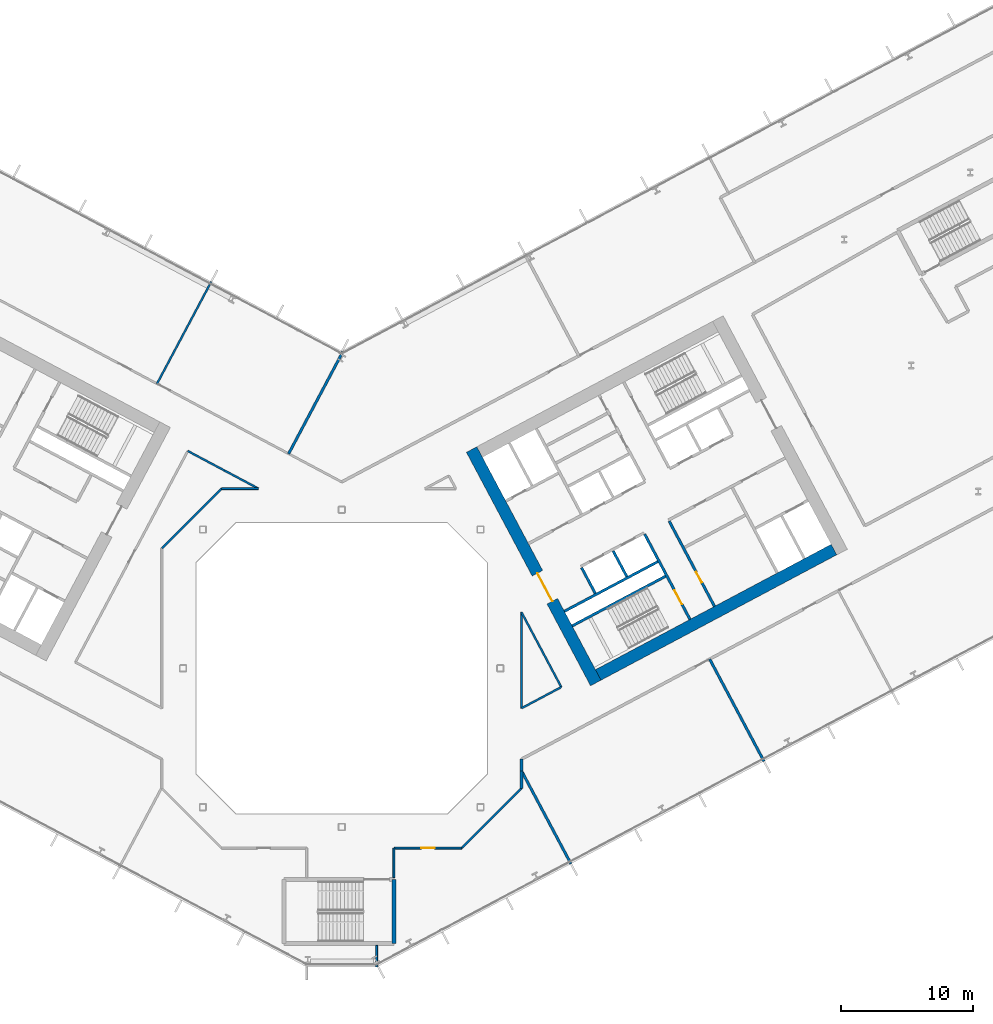
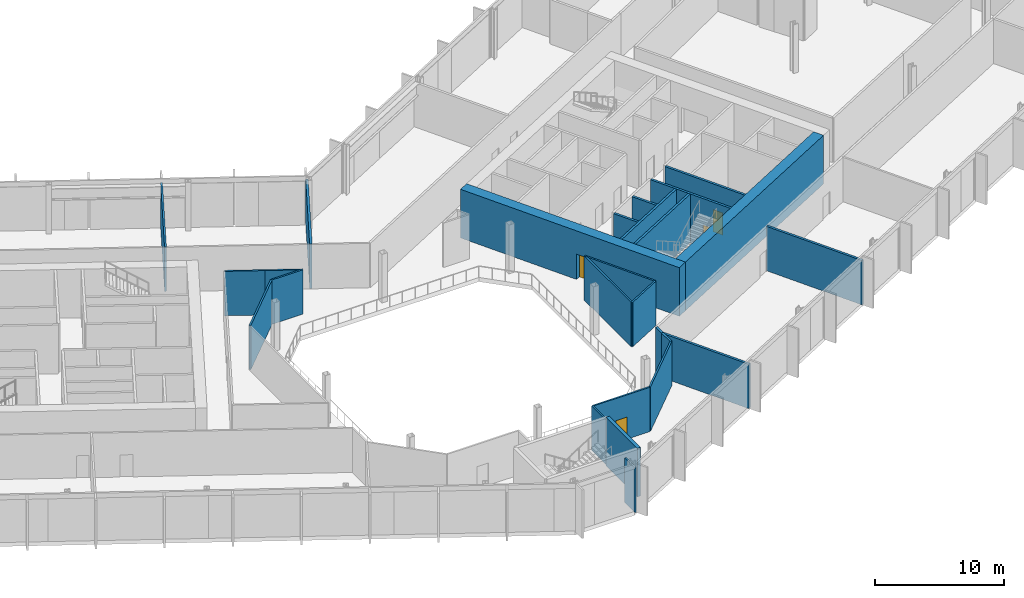
# One storey, part 16 of 30: 26 walls, 4 doors, 4 openings.
"""IFC4 building model written with IfcOpenShell, lengths in metres."""

from ifc_helpers import new_model, si_unit, direction, frame, frame_2d, origin, place, context, subcontext, project, spatial, rectangle, extrude, material, layer, layer_set, type_object, element, fill, save


model = new_model("IFC4")

# Units and contexts
model_context = context("Model", 3, precision=1e-05, world=origin(), true_north=direction((0.0, 1.0)))
body_context = subcontext(model_context, "Body", "Model", "MODEL_VIEW")
ifc_project = project(units=[si_unit("LENGTHUNIT", "METRE"), si_unit("AREAUNIT", "SQUARE_METRE"), si_unit("VOLUMEUNIT", "CUBIC_METRE"), si_unit("PLANEANGLEUNIT", "RADIAN"), si_unit("MASSUNIT", "GRAM", prefix="KILO")], contexts=[model_context])

# Site, building, storey
site_placement = place(None, origin())
site = spatial("IfcSite", under=ifc_project, at=site_placement, CompositionType="ELEMENT")
building_placement = place(site_placement, origin())
building = spatial("IfcBuilding", under=site, at=building_placement, Name="Cormorant Relay Tower", CompositionType="ELEMENT")
storey_placement = place(building_placement, frame((0.0, 0.0, 89.199951171875)))
storey = spatial("IfcBuildingStorey", under=building, at=storey_placement, Name="L17", CompositionType="ELEMENT", Elevation=89.199951171875)

# Walls
ifc_material_1 = material(Name="Concrete 40 MPa", Category="concrete")
ifc_layer_1 = layer(ifc_material_1, 0.199951171875)
ifc_layer_set_1 = layer_set([ifc_layer_1], Name="Core internal wall 200")
wall_type_1 = type_object("IfcWallType", Name="Core internal wall 200", PredefinedType="SOLIDWALL", material=ifc_layer_set_1)
wall_1_placement = place(storey_placement, frame((21.567626953125, 6.9375, 0.0), z_axis=(0.0, 0.0, 1.0), x_axis=(-0.469533832133, 0.882914480843, 0.0)))
element("IfcWall", 1, at=wall_1_placement, inside=storey, type_object=wall_type_1, Name="L17 core B shaft and room wall", PredefinedType="SOLIDWALL", context=body_context, shape_type="SweptSolid", body=[
    extrude(rectangle(XDim=2.199951171875, YDim=0.199951171875, at=frame_2d((1.10009765625, 0.0))), origin(), (0.0, 0.0, 1.0), 4.60009765625),
])
ifc_material_2 = material(Name="Concrete 50 MPa", Category="concrete")
ifc_layer_2 = layer(ifc_material_2, 0.199951171875)
ifc_layer_set_2 = layer_set([ifc_layer_2], Name="Core shaft wall 200")
wall_type_2 = type_object("IfcWallType", Name="Core shaft wall 200", PredefinedType="SHEAR", material=ifc_layer_set_2)
wall_2_placement = place(storey_placement, frame((19.18359375, 5.669921875, 0.0), z_axis=(0.0, 0.0, 1.0), x_axis=(-0.4694473164, 0.882960484464, 0.0)))
element("IfcWall", 2, at=wall_2_placement, inside=storey, type_object=wall_type_2, Name="L17 core B shaft wall", PredefinedType="SHEAR", context=body_context, shape_type="SweptSolid", body=[
    extrude(rectangle(XDim=2.199951171875, YDim=0.199951171875, at=frame_2d((1.10009765625, 0.0))), origin(), (0.0, 0.0, 1.0), 4.60009765625),
])

# Wall, opening, door
wall_3_placement = place(storey_placement, frame((26.345947265625, 3.701904296875, 0.0), z_axis=(0.0, 0.0, 1.0), x_axis=(-0.469480409012, 0.88294288918, 0.0)))
wall_3 = element("IfcWall", 3, at=wall_3_placement, inside=storey, type_object=wall_type_2, Name="L17 core B shaft wall", PredefinedType="SHEAR", context=body_context, shape_type="SweptSolid", body=[
    extrude(rectangle(XDim=7.300048828125, YDim=0.199951171875, at=frame_2d((3.64990234375, 0.0))), origin(), (0.0, 0.0, 1.0), 4.60009765625),
])
opening_1_placement = place(wall_3_placement, frame((1.300048828125, 0.0, 0.0)))
opening_1 = element("IfcOpeningElement", 4, at=opening_1_placement, cuts=wall_3, Name="Opening CDB-026", PredefinedType="OPENING", context=body_context, shape_type="SweptSolid", body=[
    extrude(rectangle(XDim=1.199951171875, YDim=2.10009765625, at=frame_2d((0.60009765625, 1.050048828125))), frame((0.0, 0.10986328125, 0.0), z_axis=(0.0, -1.0, 0.0), x_axis=(1.0, 0.0, 0.0)), (0.0, 0.0, 1.0), 0.219970703125),
])
ifc_material_3 = material(Name="Steel fire door", Category="steel")
door_type_1 = type_object("IfcDoorType", Name="Core stair door 1200x2100", OperationType="SINGLE_SWING_LEFT", PredefinedType="DOOR", material=ifc_material_3)
door_1_placement = place(opening_1_placement, origin())
door_1 = element("IfcDoor", 5, at=door_1_placement, inside=storey, type_object=door_type_1, Name="Core stair door 1200x2100", OperationType="SINGLE_SWING_RIGHT", OverallHeight=2.10009765625, OverallWidth=1.199951171875, PredefinedType="DOOR", context=body_context, shape_type="SweptSolid", body=[
    extrude(rectangle(XDim=1.199951171875, YDim=2.10009765625, at=frame_2d((0.60009765625, 1.050048828125))), frame((0.0, 0.02490234375, 0.0), z_axis=(0.0, -1.0, 0.0), x_axis=(1.0, 0.0, 0.0)), (0.0, 0.0, 1.0), 0.050048828125),
])
fill(opening_1, door_1)

wall_4_placement = place(storey_placement, frame((28.199951171875, 4.687744140625, 0.0), z_axis=(0.0, 0.0, 1.0), x_axis=(-0.469454336211, 0.882956752176, 0.0)))
wall_4 = element("IfcWall", 6, at=wall_4_placement, inside=storey, type_object=wall_type_2, Name="L17 core B shaft wall", PredefinedType="SHEAR", context=body_context, shape_type="SweptSolid", body=[
    extrude(rectangle(XDim=7.300048828125, YDim=0.199951171875, at=frame_2d((3.64990234375, 0.0))), origin(), (0.0, 0.0, 1.0), 4.60009765625),
])
opening_2_placement = place(wall_4_placement, frame((2.050048828125, 0.0, 0.0)))
opening_2 = element("IfcOpeningElement", 7, at=opening_2_placement, cuts=wall_4, Name="Opening CDD-137", PredefinedType="OPENING", context=body_context, shape_type="SweptSolid", body=[
    extrude(rectangle(XDim=0.89990234375, YDim=2.10009765625, at=frame_2d((0.449951171875, 1.050048828125))), frame((0.0, 0.10986328125, 0.0), z_axis=(0.0, -1.0, 0.0), x_axis=(1.0, 0.0, 0.0)), (0.0, 0.0, 1.0), 0.219970703125),
])
ifc_material_4 = material(Name="Steel fire door", Category="steel")
door_type_2 = type_object("IfcDoorType", Name="Core room door 900x2100", OperationType="SINGLE_SWING_LEFT", PredefinedType="DOOR", material=ifc_material_4)
door_2_placement = place(opening_2_placement, frame((0.89990234375, 0.0, 0.0), z_axis=(0.0, 0.0, 1.0), x_axis=(-1.0, 0.0, 0.0)))
door_2 = element("IfcDoor", 8, at=door_2_placement, inside=storey, type_object=door_type_2, Name="Core room door 900x2100", OperationType="SINGLE_SWING_LEFT", OverallHeight=2.10009765625, OverallWidth=0.89990234375, PredefinedType="DOOR", context=body_context, shape_type="SweptSolid", body=[
    extrude(rectangle(XDim=0.89990234375, YDim=2.10009765625, at=frame_2d((0.449951171875, 1.050048828125))), frame((0.0, 0.02490234375, 0.0), z_axis=(0.0, -1.0, 0.0), x_axis=(1.0, 0.0, 0.0)), (0.0, 0.0, 1.0), 0.050048828125),
])
fill(opening_2, door_2)

# Walls
for number, where, z_axis, x_axis, name in (
    (9, (17.43359375, 3.210205078125, 0.0), (0.0, 0.0, 1.0), (0.882940221191, 0.469485426614, 0.0), "L17 core B shaft wall"),
    (10, (16.8466796875, 4.31396484375, 0.0), (0.0, 0.0, 1.0), (0.882940221191, 0.469485426614, 0.0), "L17 core B shaft wall"),
):
    element("IfcWall", number, at=place(storey_placement, frame(where, z_axis=z_axis, x_axis=x_axis)), inside=storey, type_object=wall_type_2, Name=name, PredefinedType="SHEAR", context=body_context, shape_type="SweptSolid", body=[
        extrude(rectangle(XDim=8.0, YDim=0.199951171875, at=frame_2d((4.0, 0.0))), origin(), (0.0, 0.0, 1.0), 4.60009765625),
    ])

# Wall, opening, door
ifc_material_5 = material(Name="Concrete 70 MPa", Category="concrete")
ifc_layer_3 = layer(ifc_material_5, 0.89990234375)
ifc_layer_set_3 = layer_set([ifc_layer_3], Name="Core wall 900")
wall_type_3 = type_object("IfcWallType", Name="Core wall 900", PredefinedType="SHEAR", material=ifc_layer_set_3)
wall_5_placement = place(storey_placement, frame((19.21923828125, -1.106689453125, 0.0), z_axis=(0.0, 0.0, 1.0), x_axis=(-0.46947084998, 0.882947971864, 0.0)))
wall_5 = element("IfcWall", 11, at=wall_5_placement, inside=storey, type_object=wall_type_3, Name="L17 core B wall", PredefinedType="SHEAR", context=body_context, shape_type="SweptSolid", body=[
    extrude(rectangle(XDim=20.0, YDim=0.89990234375, at=frame_2d((10.0, 0.0))), origin(), (0.0, 0.0, 1.0), 4.60009765625),
])
opening_3_placement = place(wall_5_placement, frame((7.0, 0.0, 0.0)))
opening_3 = element("IfcOpeningElement", 12, at=opening_3_placement, cuts=wall_5, Name="Opening CDA-019", PredefinedType="OPENING", context=body_context, shape_type="SweptSolid", body=[
    extrude(rectangle(XDim=2.39990234375, YDim=2.39990234375, at=frame_2d((1.199951171875, 1.199951171875))), frame((0.0, 0.4599609375, 0.0), z_axis=(0.0, -1.0, 0.0), x_axis=(1.0, 0.0, 0.0)), (0.0, 0.0, 1.0), 0.919921875),
])
ifc_material_6 = material(Name="Steel fire door", Category="steel")
door_type_3 = type_object("IfcDoorType", Name="Core lobby door 2400x2400", OperationType="DOUBLE_DOOR_SINGLE_SWING", PredefinedType="DOOR", material=ifc_material_6)
door_3_placement = place(opening_3_placement, frame((2.39990234375, 0.0, 0.0), z_axis=(0.0, 0.0, 1.0), x_axis=(-1.0, 0.0, 0.0)))
door_3 = element("IfcDoor", 13, at=door_3_placement, inside=storey, type_object=door_type_3, Name="Core lobby door 2400x2400", OperationType="DOUBLE_DOOR_SINGLE_SWING", OverallHeight=2.39990234375, OverallWidth=2.39990234375, PredefinedType="DOOR", context=body_context, shape_type="SweptSolid", body=[
    extrude(rectangle(XDim=2.39990234375, YDim=2.39990234375, at=frame_2d((1.199951171875, 1.199951171875))), frame((0.0, 0.02490234375, 0.0), z_axis=(0.0, -1.0, 0.0), x_axis=(1.0, 0.0, 0.0)), (0.0, 0.0, 1.0), 0.050048828125),
])
fill(opening_3, door_3)

# Walls
wall_6_placement = place(storey_placement, frame((19.4052734375, -0.498046875, 0.0), z_axis=(0.0, 0.0, 1.0), x_axis=(0.88294509198, 0.469476266226, 0.0)))
element("IfcWall", 14, at=wall_6_placement, inside=storey, type_object=wall_type_3, Name="L17 core B wall", PredefinedType="SHEAR", context=body_context, shape_type="SweptSolid", body=[
    extrude(rectangle(XDim=20.199951171875, YDim=0.89990234375, at=frame_2d((10.10009765625, 0.0))), origin(), (0.0, 0.0, 1.0), 4.60009765625),
])
ifc_material_7 = material(Name="Fire-rated gypsum board partition")
ifc_layer_4 = layer(ifc_material_7, 0.199951171875)
ifc_layer_set_4 = layer_set([ifc_layer_4], Name="Fire-rated gypsum partition 200")
wall_type_4 = type_object("IfcWallType", Name="Fire-rated gypsum partition 200", PredefinedType="PARTITIONING", material=ifc_layer_set_4)
wall_7_placement = place(storey_placement, frame((0.10498046875, 23.98388671875, 0.0), z_axis=(0.0, 0.0, 1.0), x_axis=(-0.469364726907, -0.883004390213, 0.0)))
element("IfcWall", 15, at=wall_7_placement, inside=storey, type_object=wall_type_4, Name="wall/L17/part/45", PredefinedType="PARTITIONING", context=body_context, shape_type="SweptSolid", body=[
    extrude(rectangle(XDim=8.775390625, YDim=0.199951171875, at=frame_2d((4.3876953125, 0.0))), origin(), (0.0, 0.0, 1.0), 4.199951171875),
])
wall_8_placement = place(storey_placement, frame((13.60009765625, -7.756103515625, 0.0), z_axis=(0.0, 0.0, 1.0), x_axis=(0.0, -1.0, 0.0)))
element("IfcWall", 16, at=wall_8_placement, inside=storey, type_object=wall_type_4, Name="wall/L17/part/51", PredefinedType="PARTITIONING", context=body_context, shape_type="SweptSolid", body=[
    extrude(rectangle(XDim=1.32080078125, YDim=0.199951171875, at=frame_2d((0.660400390625, 0.0))), origin(), (0.0, 0.0, 1.0), 4.199951171875),
])
wall_9_placement = place(storey_placement, frame((13.60009765625, -7.75, 0.0), z_axis=(0.0, 0.0, 1.0), x_axis=(0.469489555723, -0.882938025609, 0.0)))
element("IfcWall", 17, at=wall_9_placement, inside=storey, type_object=wall_type_4, Name="wall/L17/part/54", PredefinedType="PARTITIONING", context=body_context, shape_type="SweptSolid", body=[
    extrude(rectangle(XDim=7.972412109375, YDim=0.199951171875, at=frame_2d((3.986328125, 0.0))), origin(), (0.0, 0.0, 1.0), 4.199951171875),
])
wall_10_placement = place(storey_placement, frame((13.60009765625, -6.868896484375, 0.0), z_axis=(0.0, 0.0, 1.0), x_axis=(0.0, -1.0, 0.0)))
element("IfcWall", 18, at=wall_10_placement, inside=storey, type_object=wall_type_4, Name="wall/L17/part/55", PredefinedType="PARTITIONING", context=body_context, shape_type="SweptSolid", body=[
    extrude(rectangle(XDim=0.88720703125, YDim=0.199951171875, at=frame_2d((0.443603515625, 0.0))), origin(), (0.0, 0.0, 1.0), 4.199951171875),
])
wall_11_placement = place(storey_placement, frame((27.8349609375, 0.698974609375, 0.0), z_axis=(0.0, 0.0, 1.0), x_axis=(0.469540779382, -0.882910786262, 0.0)))
element("IfcWall", 19, at=wall_11_placement, inside=storey, type_object=wall_type_4, Name="wall/L17/part/56", PredefinedType="PARTITIONING", context=body_context, shape_type="SweptSolid", body=[
    extrude(rectangle(XDim=8.749267578125, YDim=0.199951171875, at=frame_2d((4.37451171875, 0.0))), origin(), (0.0, 0.0, 1.0), 4.199951171875),
])
ifc_material_8 = material(Name="Gypsum board partition")
ifc_layer_5 = layer(ifc_material_8, 0.14990234375)
ifc_layer_set_5 = layer_set([ifc_layer_5], Name="Gypsum board partition 150")
wall_type_5 = type_object("IfcWallType", Name="Gypsum board partition 150", PredefinedType="PARTITIONING", material=ifc_layer_set_5)
wall_12_placement = place(storey_placement, frame((-9.864013671875, 29.2548828125, 0.0), z_axis=(0.0, 0.0, 1.0), x_axis=(-0.469472759909, -0.882946956336, 0.0)))
element("IfcWall", 20, at=wall_12_placement, inside=storey, type_object=wall_type_5, Name="wall/L17/part/39", PredefinedType="PARTITIONING", context=body_context, shape_type="SweptSolid", body=[
    extrude(rectangle(XDim=8.75, YDim=0.14990234375, at=frame_2d((4.375, 0.0))), origin(), (0.0, 0.0, 1.0), 4.199951171875),
])
wall_13_placement = place(storey_placement, frame((-11.64404296875, 16.44091796875, 0.0), z_axis=(0.0, 0.0, 1.0), x_axis=(0.882853947977, -0.469647640834, 0.0)))
element("IfcWall", 21, at=wall_13_placement, inside=storey, type_object=wall_type_5, Name="wall/L17/part/41", PredefinedType="PARTITIONING", context=body_context, shape_type="SweptSolid", body=[
    extrude(rectangle(XDim=3.1533203125, YDim=0.14990234375, at=frame_2d((1.57666015625, 0.0))), origin(), (0.0, 0.0, 1.0), 4.199951171875),
])
wall_14_placement = place(storey_placement, frame((-13.60009765625, 9.076904296875, 0.0), z_axis=(0.0, 0.0, 1.0), x_axis=(0.707106781187, 0.707106781187, 0.0)))
element("IfcWall", 22, at=wall_14_placement, inside=storey, type_object=wall_type_5, Name="wall/L17/part/44", PredefinedType="PARTITIONING", context=body_context, shape_type="SweptSolid", body=[
    extrude(rectangle(XDim=6.396728515625, YDim=0.14990234375, at=frame_2d((3.1982421875, 0.0))), origin(), (0.0, 0.0, 1.0), 4.199951171875),
])
wall_15_placement = place(storey_placement, frame((-6.301025390625, 13.60009765625, 0.0), z_axis=(0.0, 0.0, 1.0), x_axis=(-1.0, 0.0, 0.0)))
element("IfcWall", 23, at=wall_15_placement, inside=storey, type_object=wall_type_5, Name="wall/L17/part/46", PredefinedType="PARTITIONING", context=body_context, shape_type="SweptSolid", body=[
    extrude(rectangle(XDim=2.77587890625, YDim=0.14990234375, at=frame_2d((1.387939453125, 0.0))), origin(), (0.0, 0.0, 1.0), 4.199951171875),
])
wall_16_placement = place(storey_placement, frame((-6.301025390625, 13.60009765625, 0.0), z_axis=(0.0, 0.0, 1.0), x_axis=(-0.883065539011, 0.469249671083, 0.0)))
element("IfcWall", 24, at=wall_16_placement, inside=storey, type_object=wall_type_5, Name="wall/L17/part/47", PredefinedType="PARTITIONING", context=body_context, shape_type="SweptSolid", body=[
    extrude(rectangle(XDim=2.89794921875, YDim=0.14990234375, at=frame_2d((1.448974609375, 0.0))), origin(), (0.0, 0.0, 1.0), 4.199951171875),
])
wall_17_placement = place(storey_placement, frame((2.64892578125, -22.58203125, 0.0), z_axis=(0.0, 0.0, 1.0), x_axis=(0.0, 1.0, 0.0)))
element("IfcWall", 25, at=wall_17_placement, inside=storey, type_object=wall_type_5, Name="wall/L17/part/49", PredefinedType="PARTITIONING", context=body_context, shape_type="SweptSolid", body=[
    extrude(rectangle(XDim=1.6220703125, YDim=0.14990234375, at=frame_2d((0.81103515625, 0.0))), origin(), (0.0, 0.0, 1.0), 4.199951171875),
])
wall_18_placement = place(storey_placement, frame((3.949951171875, -13.60009765625, 0.0), z_axis=(0.0, 0.0, 1.0), x_axis=(0.0, -1.0, 0.0)))
element("IfcWall", 26, at=wall_18_placement, inside=storey, type_object=wall_type_5, Name="wall/L17/part/50", PredefinedType="PARTITIONING", context=body_context, shape_type="SweptSolid", body=[
    extrude(rectangle(XDim=2.239990234375, YDim=0.14990234375, at=frame_2d((1.1201171875, 0.0))), origin(), (0.0, 0.0, 1.0), 4.199951171875),
])
wall_19_placement = place(storey_placement, frame((13.60009765625, -9.076904296875, 0.0), z_axis=(0.0, 0.0, 1.0), x_axis=(-0.707106781187, -0.707106781187, 0.0)))
element("IfcWall", 27, at=wall_19_placement, inside=storey, type_object=wall_type_5, Name="wall/L17/part/52", PredefinedType="PARTITIONING", context=body_context, shape_type="SweptSolid", body=[
    extrude(rectangle(XDim=6.396728515625, YDim=0.14990234375, at=frame_2d((3.1982421875, 0.0))), origin(), (0.0, 0.0, 1.0), 4.199951171875),
])

# Wall, opening, door
wall_20_placement = place(storey_placement, frame((9.076904296875, -13.60009765625, 0.0), z_axis=(0.0, 0.0, 1.0), x_axis=(-1.0, 0.0, 0.0)))
wall_20 = element("IfcWall", 28, at=wall_20_placement, inside=storey, type_object=wall_type_5, Name="wall/L17/part/53", PredefinedType="PARTITIONING", context=body_context, shape_type="SweptSolid", body=[
    extrude(rectangle(XDim=5.091796875, YDim=0.14990234375, at=frame_2d((2.5458984375, 0.0))), origin(), (0.0, 0.0, 1.0), 4.199951171875),
])
opening_4_placement = place(wall_20_placement, frame((2.050048828125, 0.0, 0.0)))
opening_4 = element("IfcOpeningElement", 29, at=opening_4_placement, cuts=wall_20, Name="Opening D1-043", PredefinedType="OPENING", context=body_context, shape_type="SweptSolid", body=[
    extrude(rectangle(XDim=1.0, YDim=2.10009765625, at=frame_2d((0.5, 1.050048828125))), frame((0.0, 0.0849609375, 0.0), z_axis=(0.0, -1.0, 0.0), x_axis=(1.0, 0.0, 0.0)), (0.0, 0.0, 1.0), 0.169921875),
])
ifc_material_9 = material(Name="Painted steel door", Category="steel")
door_type_4 = type_object("IfcDoorType", Name="Single door 1000 x 2100", OperationType="SINGLE_SWING_LEFT", PredefinedType="DOOR", material=ifc_material_9)
door_4_placement = place(opening_4_placement, origin())
door_4 = element("IfcDoor", 30, at=door_4_placement, inside=storey, type_object=door_type_4, Name="door/L17/3", OperationType="SINGLE_SWING_RIGHT", OverallHeight=2.10009765625, OverallWidth=1.0, PredefinedType="DOOR", context=body_context, shape_type="SweptSolid", body=[
    extrude(rectangle(XDim=1.0, YDim=2.10009765625, at=frame_2d((0.5, 1.050048828125))), frame((0.0, 0.02490234375, 0.0), z_axis=(0.0, -1.0, 0.0), x_axis=(1.0, 0.0, 0.0)), (0.0, 0.0, 1.0), 0.050048828125),
])
fill(opening_4, door_4)

# Walls
wall_21_placement = place(storey_placement, frame((13.60009765625, 4.242919921875, 0.0), z_axis=(0.0, 0.0, 1.0), x_axis=(0.0, -1.0, 0.0)))
element("IfcWall", 31, at=wall_21_placement, inside=storey, type_object=wall_type_5, Name="wall/L17/part/88", PredefinedType="PARTITIONING", context=body_context, shape_type="SweptSolid", body=[
    extrude(rectangle(XDim=7.261962890625, YDim=0.14990234375, at=frame_2d((3.630859375, 0.0))), origin(), (0.0, 0.0, 1.0), 4.199951171875),
])
wall_22_placement = place(storey_placement, frame((13.60009765625, -3.01904296875, 0.0), z_axis=(0.0, 0.0, 1.0), x_axis=(0.8828717575, 0.469614160571, 0.0)))
element("IfcWall", 32, at=wall_22_placement, inside=storey, type_object=wall_type_5, Name="wall/L17/part/89", PredefinedType="PARTITIONING", context=body_context, shape_type="SweptSolid", body=[
    extrude(rectangle(XDim=3.409423828125, YDim=0.14990234375, at=frame_2d((1.70458984375, 0.0))), origin(), (0.0, 0.0, 1.0), 4.199951171875),
])
wall_23_placement = place(storey_placement, frame((16.610107421875, -1.41796875, 0.0), z_axis=(0.0, 0.0, 1.0), x_axis=(-0.469479085554, 0.882943592891, 0.0)))
element("IfcWall", 33, at=wall_23_placement, inside=storey, type_object=wall_type_5, Name="wall/L17/part/90", PredefinedType="PARTITIONING", context=body_context, shape_type="SweptSolid", body=[
    extrude(rectangle(XDim=6.411376953125, YDim=0.14990234375, at=frame_2d((3.20556640625, 0.0))), origin(), (0.0, 0.0, 1.0), 4.199951171875),
])
ifc_material_10 = material(Name="Concrete 50 MPa", Category="concrete")
ifc_layer_6 = layer(ifc_material_10, 0.300048828125)
ifc_layer_set_6 = layer_set([ifc_layer_6], Name="Remote stair wall 300")
wall_type_6 = type_object("IfcWallType", Name="Remote stair wall 300", PredefinedType="SHEAR", material=ifc_layer_set_6)
wall_24_placement = place(storey_placement, frame((3.949951171875, -15.97509765625, 0.0), z_axis=(0.0, 0.0, 1.0), x_axis=(0.0, -1.0, 0.0)))
element("IfcWall", 34, at=wall_24_placement, inside=storey, type_object=wall_type_6, Name="L17 exit stair RK1 wall", PredefinedType="SHEAR", context=body_context, shape_type="SweptSolid", body=[
    extrude(rectangle(XDim=4.849853515625, YDim=0.300048828125, at=frame_2d((2.4248046875, 0.0))), origin(), (0.0, 0.0, 1.0), 4.60009765625),
])

save(model, "model.ifc")
